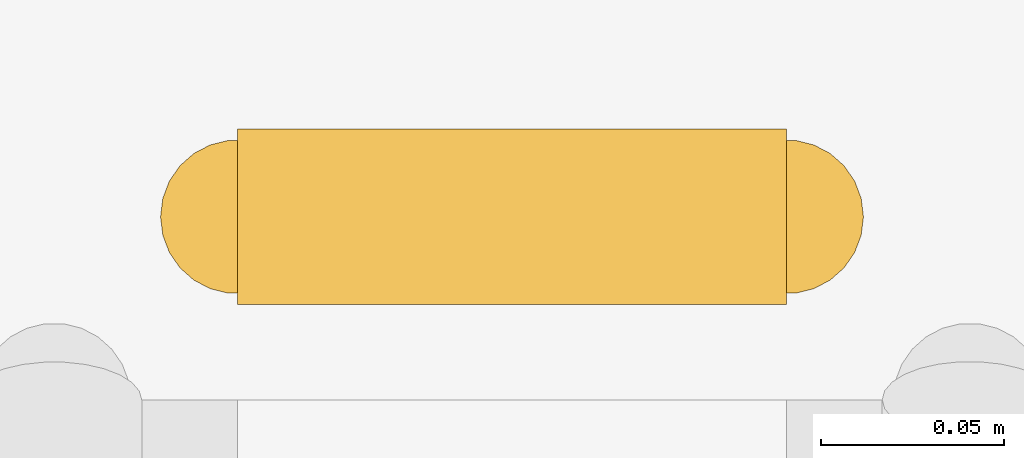
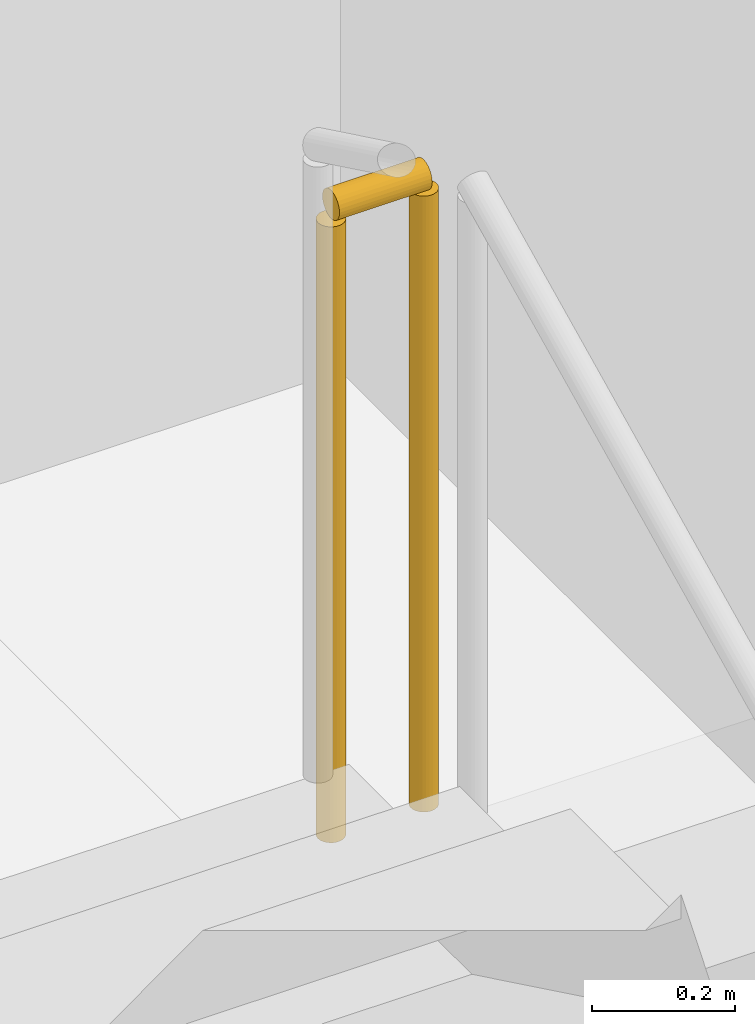
# One storey, part 57 of 64: 1 railing.
"""IFC4 building model written with IfcOpenShell, lengths in metres."""

from ifc_helpers import new_model, si_unit, direction, frame, origin, origin_2d, place, context, subcontext, project, spatial, circle, extrude, material, type_object, element, save


model = new_model("IFC4")

# Units and contexts
model_context = context("Model", 3, precision=1e-05, world=origin(), true_north=direction((0.0, 1.0)))
body_context = subcontext(model_context, "Body", "Model", "MODEL_VIEW")
ifc_project = project(units=[si_unit("LENGTHUNIT", "METRE"), si_unit("AREAUNIT", "SQUARE_METRE"), si_unit("VOLUMEUNIT", "CUBIC_METRE"), si_unit("PLANEANGLEUNIT", "RADIAN"), si_unit("MASSUNIT", "GRAM", prefix="KILO")], contexts=[model_context])

# Site, building, storey
site_placement = place(None, origin())
site = spatial("IfcSite", under=ifc_project, at=site_placement, CompositionType="ELEMENT")
building_placement = place(site_placement, origin())
building = spatial("IfcBuilding", under=site, at=building_placement, Name="Solvadek Multi-Sports Hall", CompositionType="ELEMENT")
storey_placement = place(building_placement, frame((0.0, 0.0, -4.800048828125)))
storey = spatial("IfcBuildingStorey", under=building, at=storey_placement, Name="B1", CompositionType="ELEMENT", Elevation=-4.800048828125)

# Railing
ifc_material = material(Name="Steel E250 (250 MPa)", Category="steel")
railing_type = type_object("IfcRailingType", Name="INT-RAL-GRD115", PredefinedType="BALUSTRADE", material=ifc_material)
railing_placement = place(storey_placement, frame((68.449951171875, 49.5, 2.400146484375)))
element("IfcRailing", 1, at=railing_placement, inside=storey, type_object=railing_type, Name="B1 ST-04 stair guard 2", PredefinedType="BALUSTRADE", context=body_context, shape_type="SweptSolid", body=[
    extrude(circle(Radius=0.02392578125, at=origin_2d()), frame((0.0, 0.0, 1.076171875), z_axis=(-1.0, 0.0, 0.0), x_axis=(0.0, -1.0, 0.0)), (0.0, 0.0, 1.0), 0.14990234375),
    extrude(circle(Radius=0.02099609375, at=origin_2d()), origin(), (0.0, 0.0, 1.0), 1.052001953125),
    extrude(circle(Radius=0.02099609375, at=origin_2d()), frame((-0.14990234375, 0.0, 0.0)), (0.0, 0.0, 1.0), 1.052001953125),
])

save(model, "model.ifc")
